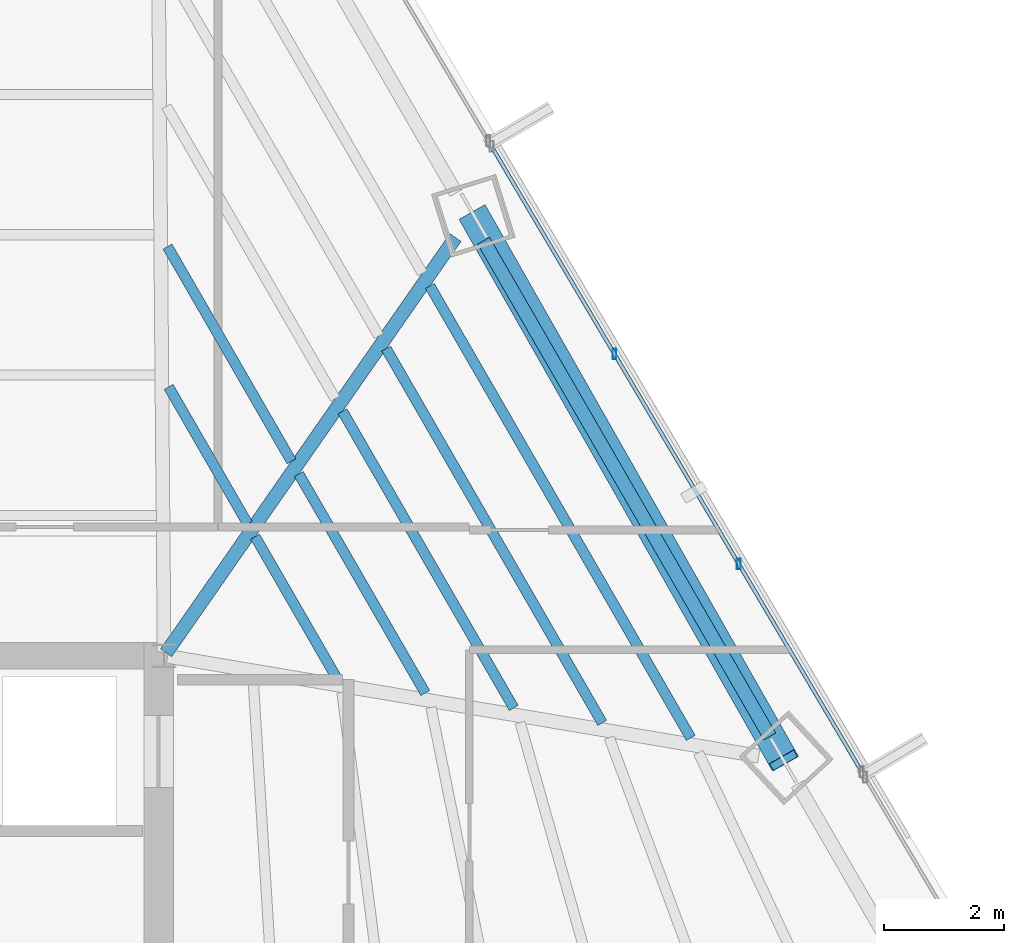
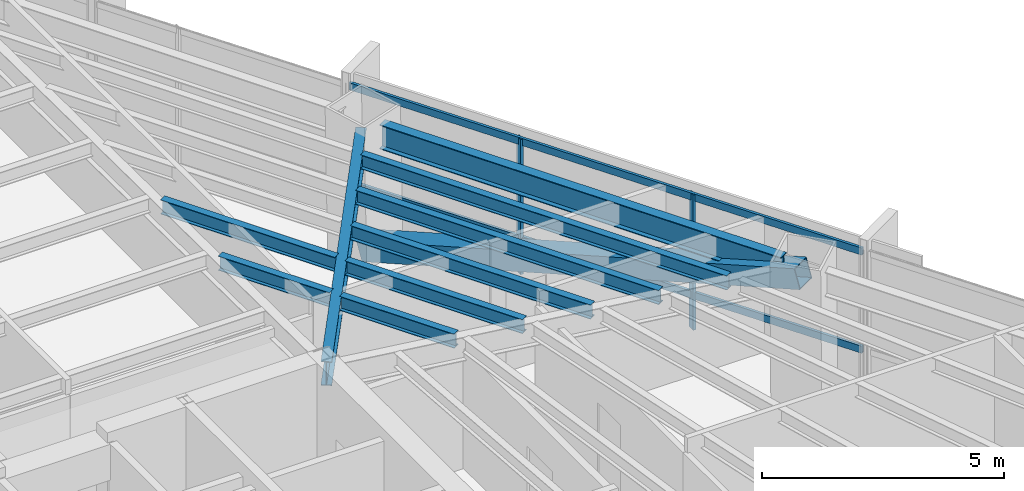
# One storey, part 22 of 37: 9 beams, 5 members, 1 element without a shape of its own.
"""IFC4 building model written with IfcOpenShell, lengths in metres."""

from ifc_helpers import new_model, si_unit, direction, frame, origin, origin_2d, place, context, subcontext, project, spatial, hollow_rectangle, i_section, extrude, source, transform, mapped, material, material_profile, profile_set, type_object, type_shapes, element, aggregate, save


model = new_model("IFC4")

# Units and contexts
model_context = context("Model", 3, precision=1e-05, world=origin(), true_north=direction((0.0, 1.0)))
body_context = subcontext(model_context, "Body", "Model", "MODEL_VIEW")
ifc_project = project(units=[si_unit("LENGTHUNIT", "METRE"), si_unit("AREAUNIT", "SQUARE_METRE"), si_unit("VOLUMEUNIT", "CUBIC_METRE"), si_unit("PLANEANGLEUNIT", "RADIAN"), si_unit("MASSUNIT", "GRAM", prefix="KILO")], contexts=[model_context])

# Site, building, storey
site_placement = place(None, origin())
site = spatial("IfcSite", under=ifc_project, at=site_placement, CompositionType="ELEMENT")
building_placement = place(site_placement, origin())
building = spatial("IfcBuilding", under=site, at=building_placement, Name="Caelisora Broadcast Tower", CompositionType="ELEMENT")
storey_placement = place(building_placement, frame((0.0, 0.0, 105.39990234375)))
storey = spatial("IfcBuildingStorey", under=building, at=storey_placement, Name="L27", CompositionType="ELEMENT", Elevation=105.39990234375)

# Beams
ifc_material_1 = material(Name="Steel Grade 350 (AS/NZS 3679.1)", Category="steel")
ifc_material_profile_1 = material_profile(ifc_material_1, i_section(OverallWidth=0.22900390625, OverallDepth=0.611572265625, WebThickness=0.011962890625, FlangeThickness=0.01953125, at=origin_2d()), Name="Steel Grade 350 (AS/NZS 3679.1)")
ifc_profile_set_1 = profile_set([ifc_material_profile_1], Name="Steel Grade 350 (AS/NZS 3679.1)")
beam_type_1 = type_object("IfcBeamType", Name="PG03", PredefinedType="BEAM", material=ifc_profile_set_1)
shared_shape_1 = source(origin(), body_context, "Body", "SweptSolid", [
    extrude(i_section(OverallWidth=0.22900390625, OverallDepth=0.611572265625, WebThickness=0.011962890625, FlangeThickness=0.01953125, at=origin_2d()), origin(), (0.0, 0.0, 1.0), 9.56591796875),
])
type_shapes(beam_type_1, [shared_shape_1])
beam_1_placement = place(storey_placement, frame((55.6220703125, 28.651123046875, 3.09423828125), z_axis=(-0.499995660965, 0.866027908913, 0.0), x_axis=(-0.866027908913, -0.499995660965, 0.0)))
element("IfcBeam", 1, at=beam_1_placement, inside=storey, type_object=beam_type_1, Name="L27 beam PG03", PredefinedType="BEAM", context=body_context, shape_type="MappedRepresentation", body=[
    mapped(shared_shape_1, transform((0.0, 0.0, 0.0), scale=1.0)),
])
ifc_material_profile_2 = material_profile(ifc_material_1, i_section(OverallWidth=0.22802734375, OverallDepth=0.602294921875, WebThickness=0.010498046875, FlangeThickness=0.014892578125, at=origin_2d()), Name="Steel Grade 350 (AS/NZS 3679.1)")
ifc_profile_set_2 = profile_set([ifc_material_profile_2], Name="Steel Grade 350 (AS/NZS 3679.1)")
beam_type_2 = type_object("IfcBeamType", Name="PG04", PredefinedType="BEAM", material=ifc_profile_set_2)
shared_shape_2 = source(origin(), body_context, "Body", "SweptSolid", [
    extrude(i_section(OverallWidth=0.22802734375, OverallDepth=0.602294921875, WebThickness=0.010498046875, FlangeThickness=0.014892578125, at=origin_2d()), origin(), (0.0, 0.0, 1.0), 8.458251953125),
])
type_shapes(beam_type_2, [shared_shape_2])
beam_2_placement = place(storey_placement, frame((45.5341796875, 30.04931640625, 3.098876953125), z_axis=(0.571603082858, 0.82053026493, 0.0), x_axis=(-0.82053026493, 0.571603082858, 0.0)))
element("IfcBeam", 2, at=beam_2_placement, inside=storey, type_object=beam_type_2, Name="L27 beam PG04", PredefinedType="BEAM", context=body_context, shape_type="MappedRepresentation", body=[
    mapped(shared_shape_2, transform((0.0, 0.0, 0.0), scale=1.0)),
])
ifc_material_profile_3 = material_profile(ifc_material_1, i_section(OverallWidth=0.172119140625, OverallDepth=0.358642578125, WebThickness=0.008056640625, FlangeThickness=0.012939453125, at=origin_2d()), Name="Steel Grade 350 (AS/NZS 3679.1)")
ifc_profile_set_3 = profile_set([ifc_material_profile_3], Name="Steel Grade 350 (AS/NZS 3679.1)")
beam_type_3 = type_object("IfcBeamType", Name="SB02", PredefinedType="JOIST", material=ifc_profile_set_3)
shared_shape_3 = source(origin(), body_context, "Body", "SweptSolid", [
    extrude(i_section(OverallWidth=0.172119140625, OverallDepth=0.358642578125, WebThickness=0.008056640625, FlangeThickness=0.012939453125, at=origin_2d()), origin(), (0.0, 0.0, 1.0), 2.64501953125),
])
beam_3_placement = place(storey_placement, frame((46.898193359375, 32.201904296875, 3.220703125), z_axis=(-0.500020753057, 0.86601342167, 0.0), x_axis=(-0.86601342167, -0.500020753057, 0.0)))
element("IfcBeam", 3, at=beam_3_placement, inside=storey, type_object=beam_type_3, Name="L27 beam SB02", PredefinedType="JOIST", context=body_context, shape_type="MappedRepresentation", body=[
    mapped(shared_shape_3, transform((0.0, 0.0, 0.0), scale=1.0)),
])
shared_shape_4 = source(origin(), body_context, "Body", "SweptSolid", [
    extrude(i_section(OverallWidth=0.172119140625, OverallDepth=0.358642578125, WebThickness=0.008056640625, FlangeThickness=0.012939453125, at=origin_2d()), origin(), (0.0, 0.0, 1.0), 4.14306640625),
])
beam_4_placement = place(storey_placement, frame((47.628173828125, 33.24951171875, 3.220703125), z_axis=(-0.500011510709, 0.866018757971, 0.0), x_axis=(-0.866018757971, -0.500011510709, 0.0)))
element("IfcBeam", 4, at=beam_4_placement, inside=storey, type_object=beam_type_3, Name="L27 beam SB02", PredefinedType="JOIST", context=body_context, shape_type="MappedRepresentation", body=[
    mapped(shared_shape_4, transform((0.0, 0.0, 0.0), scale=1.0)),
])
shared_shape_5 = source(origin(), body_context, "Body", "SweptSolid", [
    extrude(i_section(OverallWidth=0.172119140625, OverallDepth=0.358642578125, WebThickness=0.008056640625, FlangeThickness=0.012939453125, at=origin_2d()), origin(), (0.0, 0.0, 1.0), 2.728271484375),
])
beam_5_placement = place(storey_placement, frame((48.38525390625, 29.626220703125, 3.220703125), z_axis=(-0.499960005448, 0.866048493418, 0.0), x_axis=(-0.866048493418, -0.499960005448, 0.0)))
element("IfcBeam", 5, at=beam_5_placement, inside=storey, type_object=beam_type_3, Name="L27 beam SB02", PredefinedType="JOIST", context=body_context, shape_type="MappedRepresentation", body=[
    mapped(shared_shape_5, transform((0.0, 0.0, 0.0), scale=1.0)),
])
shared_shape_6 = source(origin(), body_context, "Body", "SweptSolid", [
    extrude(i_section(OverallWidth=0.172119140625, OverallDepth=0.358642578125, WebThickness=0.008056640625, FlangeThickness=0.012939453125, at=origin_2d()), origin(), (0.0, 0.0, 1.0), 4.226318359375),
])
beam_6_placement = place(storey_placement, frame((49.8642578125, 29.376708984375, 3.220703125), z_axis=(-0.500040817583, 0.866001836459, 0.0), x_axis=(-0.866001836459, -0.500040817583, 0.0)))
element("IfcBeam", 6, at=beam_6_placement, inside=storey, type_object=beam_type_3, Name="L27 beam SB02", PredefinedType="JOIST", context=body_context, shape_type="MappedRepresentation", body=[
    mapped(shared_shape_6, transform((0.0, 0.0, 0.0), scale=1.0)),
])
shared_shape_7 = source(origin(), body_context, "Body", "SweptSolid", [
    extrude(i_section(OverallWidth=0.172119140625, OverallDepth=0.358642578125, WebThickness=0.008056640625, FlangeThickness=0.012939453125, at=origin_2d()), origin(), (0.0, 0.0, 1.0), 5.724365234375),
])
beam_7_placement = place(storey_placement, frame((51.343017578125, 29.126953125, 3.220703125), z_axis=(-0.499978422484, 0.86603786121, 0.0), x_axis=(-0.86603786121, -0.499978422484, 0.0)))
element("IfcBeam", 7, at=beam_7_placement, inside=storey, type_object=beam_type_3, Name="L27 beam SB02", PredefinedType="JOIST", context=body_context, shape_type="MappedRepresentation", body=[
    mapped(shared_shape_7, transform((0.0, 0.0, 0.0), scale=1.0)),
])
shared_shape_8 = source(origin(), body_context, "Body", "SweptSolid", [
    extrude(i_section(OverallWidth=0.172119140625, OverallDepth=0.358642578125, WebThickness=0.008056640625, FlangeThickness=0.012939453125, at=origin_2d()), origin(), (0.0, 0.0, 1.0), 7.222412109375),
])
beam_8_placement = place(storey_placement, frame((52.822021484375, 28.87744140625, 3.220703125), z_axis=(-0.500021890679, 0.866012764826, 0.0), x_axis=(-0.866012764826, -0.500021890679, 0.0)))
element("IfcBeam", 8, at=beam_8_placement, inside=storey, type_object=beam_type_3, Name="L27 beam SB02", PredefinedType="JOIST", context=body_context, shape_type="MappedRepresentation", body=[
    mapped(shared_shape_8, transform((0.0, 0.0, 0.0), scale=1.0)),
])
shared_shape_9 = source(origin(), body_context, "Body", "SweptSolid", [
    extrude(i_section(OverallWidth=0.172119140625, OverallDepth=0.358642578125, WebThickness=0.008056640625, FlangeThickness=0.012939453125, at=origin_2d()), origin(), (0.0, 0.0, 1.0), 8.720458984375),
])
type_shapes(beam_type_3, [shared_shape_3, shared_shape_4, shared_shape_5, shared_shape_6, shared_shape_7, shared_shape_8, shared_shape_9])
beam_9_placement = place(storey_placement, frame((54.30078125, 28.627685546875, 3.220703125), z_axis=(-0.499984184292, 0.866034534795, 0.0), x_axis=(-0.866034534795, -0.499984184292, 0.0)))
element("IfcBeam", 9, at=beam_9_placement, inside=storey, type_object=beam_type_3, Name="L27 beam SB02", PredefinedType="JOIST", context=body_context, shape_type="MappedRepresentation", body=[
    mapped(shared_shape_9, transform((0.0, 0.0, 0.0), scale=1.0)),
])

# Member
ifc_material_2 = material(Name="Steel Grade 450 L15 (AS/NZS 3678)", Category="steel")
ifc_material_profile_4 = material_profile(ifc_material_2, hollow_rectangle(XDim=0.5, YDim=0.5, WallThickness=0.02001953125, at=origin_2d()), Name="Steel Grade 450 L15 (AS/NZS 3678)")
ifc_profile_set_4 = profile_set([ifc_material_profile_4], Name="Steel Grade 450 L15 (AS/NZS 3678)")
member_type_1 = type_object("IfcMemberType", Name="BR02", PredefinedType="BRACE", material=ifc_profile_set_4)
shared_shape_10 = source(origin(), body_context, "Body", "SweptSolid", [
    extrude(hollow_rectangle(XDim=0.5, YDim=0.5, WallThickness=0.02001953125, at=origin_2d()), origin(), (0.0, 0.0, 1.0), 10.891357421875),
])
type_shapes(member_type_1, [shared_shape_10])
member_1_placement = place(storey_placement, frame((55.85205078125, 28.252685546875, 3.10009765625), z_axis=(-0.47490283599, 0.835820921625, -0.27544633478), x_axis=(-0.869454508761, -0.494013013184, 0.0)))
element("IfcMember", 10, at=member_1_placement, inside=storey, type_object=member_type_1, Name="L27 perimeter brace BR02", PredefinedType="BRACE", context=body_context, shape_type="MappedRepresentation", body=[
    mapped(shared_shape_10, transform((0.0, 0.0, 0.0), scale=1.0)),
])

# Curtain wall, members
ifc_material_3 = material(Name="Unitised Aluminium Insulated Shadow-Box Spandrel Curtain Wall", Category="aluminium")
curtain_wall_type = type_object("IfcCurtainWallType", Name="CW-SP1", PredefinedType="NOTDEFINED", material=ifc_material_3)
curtain_wall_placement = place(storey_placement, origin())
curtain_wall = element("IfcCurtainWall", 11, at=curtain_wall_placement, inside=storey, type_object=curtain_wall_type, Name="L27 curtain wall CW-SP1", PredefinedType="NOTDEFINED")
ifc_material_4 = material(Name="Aluminium 6063-T6 Anodised Terracotta Bronze", Category="aluminium")
ifc_material_profile_5 = material_profile(ifc_material_4, hollow_rectangle(XDim=0.06494140625, YDim=0.179931640625, WallThickness=0.00341796875, at=origin_2d()), Name="Aluminium 6063-T6 Anodised Terracotta Bronze")
ifc_profile_set_5 = profile_set([ifc_material_profile_5], Name="Aluminium 6063-T6 Anodised Terracotta Bronze")
member_type_2 = type_object("IfcMemberType", Name="CWM-02", PredefinedType="MULLION", material=ifc_profile_set_5)
shared_shape_11 = source(origin(), body_context, "Body", "SweptSolid", [
    extrude(hollow_rectangle(XDim=0.06494140625, YDim=0.179931640625, WallThickness=0.00341796875, at=origin_2d()), origin(), (0.0, 0.0, 1.0), 3.400146484375),
])
type_shapes(member_type_2, [shared_shape_11])
member_2_placement = place(storey_placement, frame((53.026611328125, 35.04296875, 0.0), z_axis=(0.0, 0.0, 1.0), x_axis=(1.0, 0.0, 0.0)))
member_2 = element("IfcMember", 12, at=member_2_placement, type_object=member_type_2, Name="L27-CW-B02 mullion #1", PredefinedType="MULLION", context=body_context, shape_type="MappedRepresentation", body=[
    mapped(shared_shape_11, transform((0.0, 0.0, 0.0), scale=1.0)),
])
member_3_placement = place(storey_placement, frame((55.105712890625, 31.531494140625, 0.0), z_axis=(0.0, 0.0, 1.0), x_axis=(1.0, 0.0, 0.0)))
member_3 = element("IfcMember", 13, at=member_3_placement, type_object=member_type_2, Name="L27-CW-B02 mullion #2", PredefinedType="MULLION", context=body_context, shape_type="MappedRepresentation", body=[
    mapped(shared_shape_11, transform((0.0, 0.0, 0.0), scale=1.0)),
])
ifc_material_profile_6 = material_profile(ifc_material_4, hollow_rectangle(XDim=0.06494140625, YDim=0.179931640625, WallThickness=0.00341796875, at=origin_2d()), Name="Aluminium 6063-T6 Anodised Terracotta Bronze")
ifc_profile_set_6 = profile_set([ifc_material_profile_6], Name="Aluminium 6063-T6 Anodised Terracotta Bronze")
member_type_3 = type_object("IfcMemberType", Name="CWT-01", PredefinedType="USERDEFINED", material=ifc_profile_set_6)
shared_shape_12 = source(origin(), body_context, "Body", "SweptSolid", [
    extrude(hollow_rectangle(XDim=0.06494140625, YDim=0.179931640625, WallThickness=0.00341796875, at=origin_2d()), origin(), (0.0, 0.0, 1.0), 12.142822265625),
])
type_shapes(member_type_3, [shared_shape_12])
member_4_placement = place(storey_placement, frame((50.97314453125, 38.51171875, 0.85009765625), z_axis=(0.509439706528, -0.86050635408, 0.0), x_axis=(0.86050635408, 0.509439706528, 0.0)))
member_4 = element("IfcMember", 14, at=member_4_placement, type_object=member_type_3, Name="L27-CW-B02 transom #1", ObjectType="TRANSOM", PredefinedType="USERDEFINED", context=body_context, shape_type="MappedRepresentation", body=[
    mapped(shared_shape_12, transform((0.0, 0.0, 0.0), scale=1.0)),
])
member_5_placement = place(storey_placement, frame((50.97314453125, 38.51171875, 3.320068359375), z_axis=(0.509439706528, -0.86050635408, 0.0), x_axis=(0.86050635408, 0.509439706528, 0.0)))
member_5 = element("IfcMember", 15, at=member_5_placement, type_object=member_type_3, Name="L27-CW-B02 transom #2", ObjectType="TRANSOM", PredefinedType="USERDEFINED", context=body_context, shape_type="MappedRepresentation", body=[
    mapped(shared_shape_12, transform((0.0, 0.0, 0.0), scale=1.0)),
])
aggregate(curtain_wall, [member_2, member_3, member_4, member_5])

save(model, "model.ifc")
